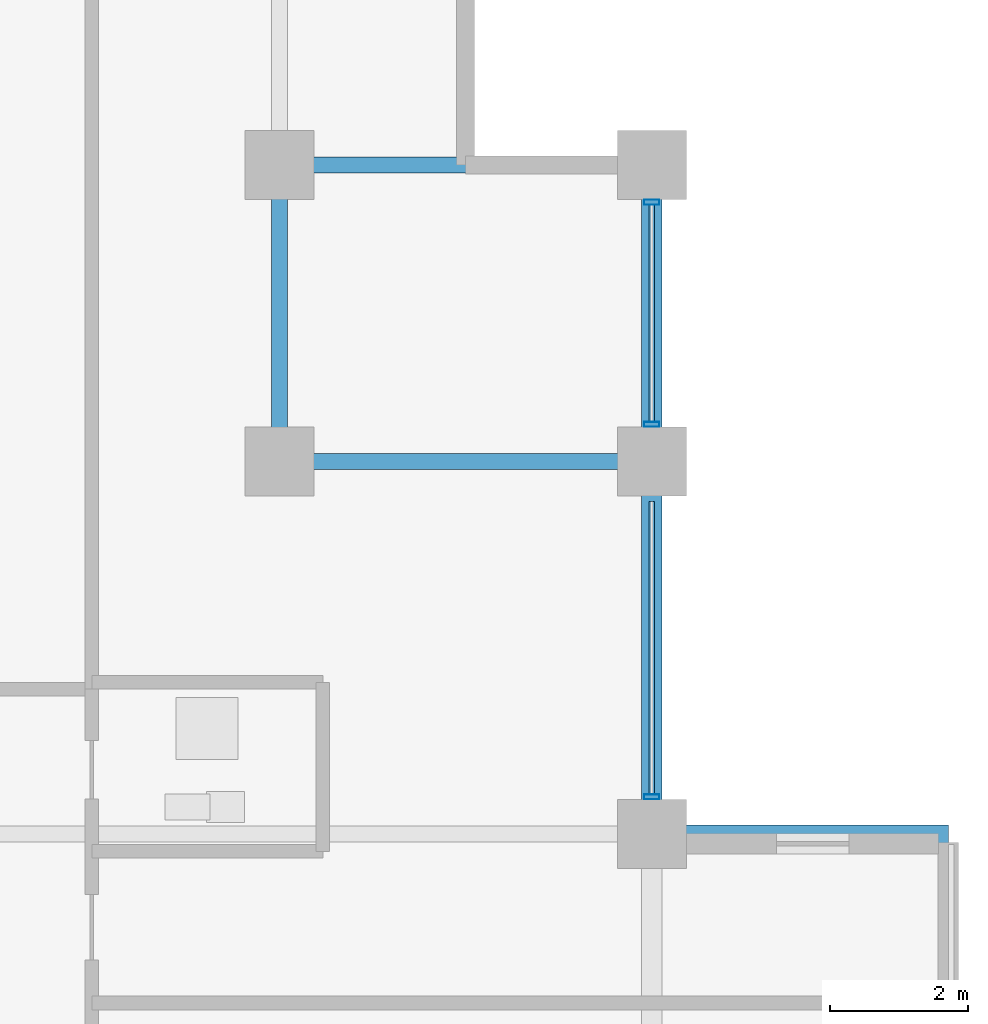
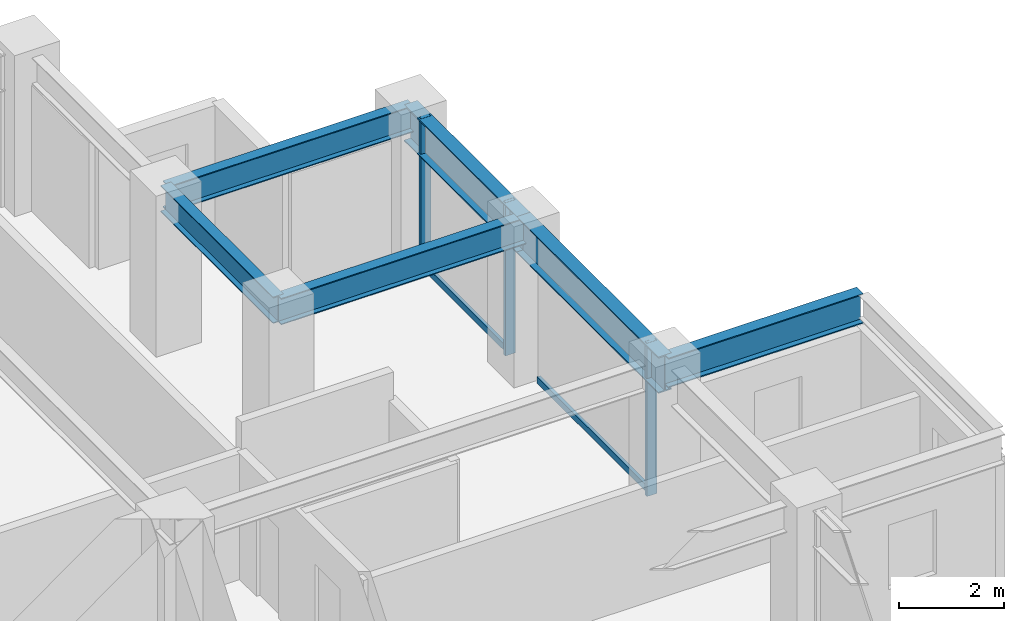
# One storey, part 17 of 29: 6 beams, 5 members, 1 element without a shape of its own.
"""IFC4 building model written with IfcOpenShell, lengths in metres."""

from ifc_helpers import new_model, si_unit, direction, frame, origin, origin_2d, place, context, subcontext, project, spatial, hollow_rectangle, i_section, extrude, material, layer, layer_set, material_profile, profile_set, type_object, element, aggregate, save


model = new_model("IFC4")

# Units and contexts
model_context = context("Model", 3, precision=1e-05, world=origin(), true_north=direction((0.0, 1.0)))
body_context = subcontext(model_context, "Body", "Model", "MODEL_VIEW")
ifc_project = project(units=[si_unit("LENGTHUNIT", "METRE"), si_unit("AREAUNIT", "SQUARE_METRE"), si_unit("VOLUMEUNIT", "CUBIC_METRE"), si_unit("PLANEANGLEUNIT", "RADIAN"), si_unit("MASSUNIT", "GRAM", prefix="KILO")], contexts=[model_context])

# Site, building, storey
site_placement = place(None, origin())
site = spatial("IfcSite", under=ifc_project, at=site_placement, CompositionType="ELEMENT")
building_placement = place(site_placement, origin())
building = spatial("IfcBuilding", under=site, at=building_placement, Name="Surkhivell Harbour Commons", CompositionType="ELEMENT")
storey_placement = place(building_placement, frame((0.0, 0.0, 154.5)))
storey = spatial("IfcBuildingStorey", under=building, at=storey_placement, Name="L40", CompositionType="ELEMENT", Elevation=154.5)

# Beams
ifc_material_1 = material(Name="Steel S460", Category="steel")
ifc_material_profile_1 = material_profile(ifc_material_1, i_section(OverallWidth=0.256103515625, OverallDepth=0.693115234375, WebThickness=0.014404296875, FlangeThickness=0.023681640625, at=origin_2d()), Name="UB686x254x170")
ifc_profile_set_1 = profile_set([ifc_material_profile_1], Name="Steel S460")
beam_type_1 = type_object("IfcBeamType", Name="BM-CNT-686", PredefinedType="BEAM", material=ifc_profile_set_1)
beam_1_placement = place(storey_placement, frame((21.60009765625, 10.800048828125, 3.223388671875), z_axis=(1.0, 0.0, 0.0), x_axis=(0.0, 1.0, 0.0)))
element("IfcBeam", 1, at=beam_1_placement, inside=storey, type_object=beam_type_1, Name="L40 Box Cantilever Outrigger (21.6,10.8)", PredefinedType="BEAM", context=body_context, shape_type="SweptSolid", body=[
    extrude(i_section(OverallWidth=0.256103515625, OverallDepth=0.693115234375, WebThickness=0.014404296875, FlangeThickness=0.023681640625, at=origin_2d()), origin(), (0.0, 0.0, 1.0), 4.2998046875),
])
ifc_material_2 = material(Name="Steel S355", Category="steel")
ifc_material_profile_2 = material_profile(ifc_material_2, i_section(OverallWidth=0.22998046875, OverallDepth=0.616943359375, WebThickness=0.01318359375, FlangeThickness=0.022216796875, at=origin_2d()), Name="UB610x229x140")
ifc_profile_set_2 = profile_set([ifc_material_profile_2], Name="Steel S355")
beam_type_2 = type_object("IfcBeamType", Name="BM-GRD-610B", PredefinedType="BEAM", material=ifc_profile_set_2)
beam_2_placement = place(storey_placement, frame((16.199951171875, 16.199951171875, 3.261474609375), z_axis=(0.0, 1.0, 0.0), x_axis=(-1.0, 0.0, 0.0)))
element("IfcBeam", 2, at=beam_2_placement, inside=storey, type_object=beam_type_2, Name="L40 Floor Girder (16.2,16.2)", PredefinedType="BEAM", context=body_context, shape_type="SweptSolid", body=[
    extrude(i_section(OverallWidth=0.22998046875, OverallDepth=0.616943359375, WebThickness=0.01318359375, FlangeThickness=0.022216796875, at=origin_2d()), origin(), (0.0, 0.0, 1.0), 4.300048828125),
])
for number, where, z_axis, x_axis, name in (
    (3, (16.199951171875, 16.199951171875, 3.261474609375), (1.0, 0.0, 0.0), (0.0, 1.0, 0.0), "L40 Floor Girder (16.2,16.2)"),
    (4, (16.199951171875, 20.5, 3.261474609375), (1.0, 0.0, 0.0), (0.0, 1.0, 0.0), "L40 Floor Girder (16.2,20.5)"),
):
    element("IfcBeam", number, at=place(storey_placement, frame(where, z_axis=z_axis, x_axis=x_axis)), inside=storey, type_object=beam_type_2, Name=name, PredefinedType="BEAM", context=body_context, shape_type="SweptSolid", body=[
        extrude(i_section(OverallWidth=0.22998046875, OverallDepth=0.616943359375, WebThickness=0.01318359375, FlangeThickness=0.022216796875, at=origin_2d()), origin(), (0.0, 0.0, 1.0), 5.400146484375),
    ])
ifc_material_profile_3 = material_profile(ifc_material_1, i_section(OverallWidth=0.2939453125, OverallDepth=0.85107421875, WebThickness=0.01611328125, FlangeThickness=0.02685546875, at=origin_2d()), Name="UB838x292x226")
ifc_profile_set_3 = profile_set([ifc_material_profile_3], Name="Steel S460")
beam_type_3 = type_object("IfcBeamType", Name="BM-SPN-838", PredefinedType="SPANDREL", material=ifc_profile_set_3)
beam_3_placement = place(storey_placement, frame((21.60009765625, 10.800048828125, 3.14453125), z_axis=(0.0, 1.0, 0.0), x_axis=(-1.0, 0.0, 0.0)))
element("IfcBeam", 5, at=beam_3_placement, inside=storey, type_object=beam_type_3, Name="L40 Tube Spandrel (21.6,10.8)", PredefinedType="SPANDREL", context=body_context, shape_type="SweptSolid", body=[
    extrude(i_section(OverallWidth=0.2939453125, OverallDepth=0.85107421875, WebThickness=0.01611328125, FlangeThickness=0.02685546875, at=origin_2d()), origin(), (0.0, 0.0, 1.0), 5.39990234375),
])
beam_4_placement = place(storey_placement, frame((21.60009765625, 16.199951171875, 3.14453125), z_axis=(0.0, 1.0, 0.0), x_axis=(-1.0, 0.0, 0.0)))
element("IfcBeam", 6, at=beam_4_placement, inside=storey, type_object=beam_type_3, Name="L40 Tube Spandrel (21.6,16.2)", PredefinedType="SPANDREL", context=body_context, shape_type="SweptSolid", body=[
    extrude(i_section(OverallWidth=0.2939453125, OverallDepth=0.85107421875, WebThickness=0.01611328125, FlangeThickness=0.02685546875, at=origin_2d()), origin(), (0.0, 0.0, 1.0), 4.300048828125),
])

# Curtain wall, members
ifc_material_3 = material(Name="Anodised pale-metal aluminium and insulated glazing", Category="aluminium")
ifc_layer = layer(ifc_material_3, 0.205078125)
ifc_layer_set = layer_set([ifc_layer], Name="Anodised pale-metal aluminium and insulated glazing")
curtain_wall_type = type_object("IfcCurtainWallType", Name="CW-SYS-Z2", PredefinedType="NOTDEFINED", material=ifc_layer_set)
curtain_wall_placement = place(storey_placement, origin())
curtain_wall = element("IfcCurtainWall", 7, at=curtain_wall_placement, inside=storey, type_object=curtain_wall_type, Name="L40 Curtain Wall CW-L40-E02R2", PredefinedType="NOTDEFINED")
ifc_material_4 = material(Name="Anodised pale-metal aluminium alloy 6063-T6", Category="aluminium")
ifc_material_profile_4 = material_profile(ifc_material_4, hollow_rectangle(XDim=0.074951171875, YDim=0.219970703125, WallThickness=0.00390625, at=origin_2d()), Name="ALU-MULL-75x220")
ifc_profile_set_4 = profile_set([ifc_material_profile_4], Name="Anodised pale-metal aluminium alloy 6063-T6")
member_type_1 = type_object("IfcMemberType", Name="CWM-220", PredefinedType="MULLION", material=ifc_profile_set_4)
member_1_placement = place(storey_placement, frame((21.60009765625, 11.339599609375, 0.0), z_axis=(0.0, 0.0, 1.0), x_axis=(0.0, 1.0, 0.0)))
member_1 = element("IfcMember", 8, at=member_1_placement, type_object=member_type_1, Name="CW-Z2 mullion 1", PredefinedType="MULLION", context=body_context, shape_type="SweptSolid", body=[
    extrude(hollow_rectangle(XDim=0.074951171875, YDim=0.219970703125, WallThickness=0.00390625, at=origin_2d()), origin(), (0.0, 0.0, 1.0), 3.570068359375),
])
member_2_placement = place(storey_placement, frame((21.60009765625, 16.739501953125, 0.0), z_axis=(0.0, 0.0, 1.0), x_axis=(0.0, 1.0, 0.0)))
member_2 = element("IfcMember", 9, at=member_2_placement, type_object=member_type_1, Name="CW-Z2 mullion 2", PredefinedType="MULLION", context=body_context, shape_type="SweptSolid", body=[
    extrude(hollow_rectangle(XDim=0.074951171875, YDim=0.219970703125, WallThickness=0.00390625, at=origin_2d()), origin(), (0.0, 0.0, 1.0), 3.570068359375),
])
member_3_placement = place(storey_placement, frame((21.60009765625, 19.96044921875, 0.0), z_axis=(0.0, 0.0, 1.0), x_axis=(0.0, 1.0, 0.0)))
member_3 = element("IfcMember", 10, at=member_3_placement, type_object=member_type_1, Name="CW-Z2 mullion 3", PredefinedType="MULLION", context=body_context, shape_type="SweptSolid", body=[
    extrude(hollow_rectangle(XDim=0.074951171875, YDim=0.219970703125, WallThickness=0.00390625, at=origin_2d()), origin(), (0.0, 0.0, 1.0), 3.570068359375),
])
ifc_material_profile_5 = material_profile(ifc_material_4, hollow_rectangle(XDim=0.074951171875, YDim=0.14990234375, WallThickness=0.00341796875, at=origin_2d()), Name="ALU-TRAN-75x150")
ifc_profile_set_5 = profile_set([ifc_material_profile_5], Name="Anodised pale-metal aluminium alloy 6063-T6")
member_type_2 = type_object("IfcMemberType", Name="CWT-150", PredefinedType="USERDEFINED", material=ifc_profile_set_5)
member_4_placement = place(storey_placement, frame((21.60009765625, 11.376953125, 0.074951171875), z_axis=(0.0, 1.0, 0.0), x_axis=(-1.0, 0.0, 0.0)))
member_4 = element("IfcMember", 11, at=member_4_placement, type_object=member_type_2, Name="CW-Z2 transom 1.1", ObjectType="TRANSOM", PredefinedType="USERDEFINED", context=body_context, shape_type="SweptSolid", body=[
    extrude(hollow_rectangle(XDim=0.074951171875, YDim=0.14990234375, WallThickness=0.00341796875, at=origin_2d()), origin(), (0.0, 0.0, 1.0), 4.24609375),
])
member_5_placement = place(storey_placement, frame((21.60009765625, 16.777099609375, 0.074951171875), z_axis=(0.0, 1.0, 0.0), x_axis=(-1.0, 0.0, 0.0)))
member_5 = element("IfcMember", 12, at=member_5_placement, type_object=member_type_2, Name="CW-Z2 transom 2.1", ObjectType="TRANSOM", PredefinedType="USERDEFINED", context=body_context, shape_type="SweptSolid", body=[
    extrude(hollow_rectangle(XDim=0.074951171875, YDim=0.14990234375, WallThickness=0.00341796875, at=origin_2d()), origin(), (0.0, 0.0, 1.0), 3.14599609375),
])
aggregate(curtain_wall, [member_1, member_4, member_2, member_3, member_5])

save(model, "model.ifc")
